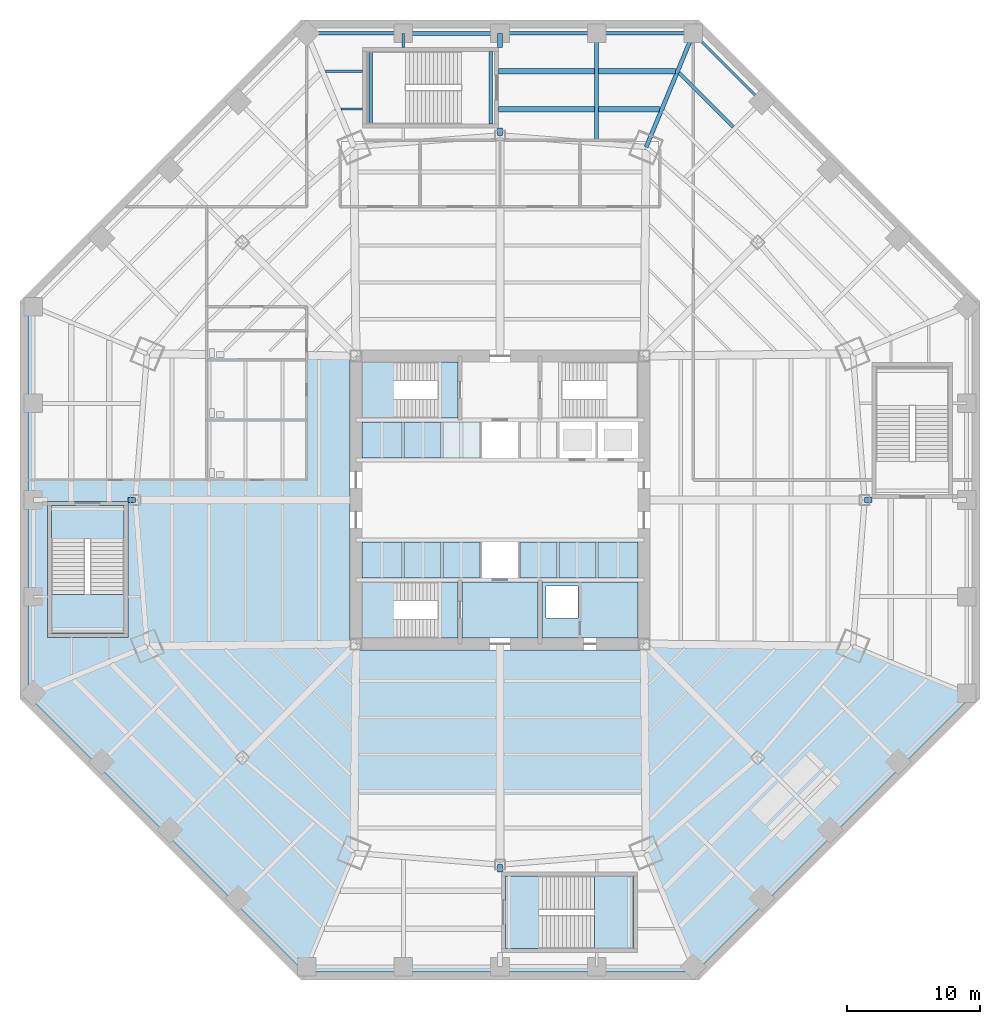
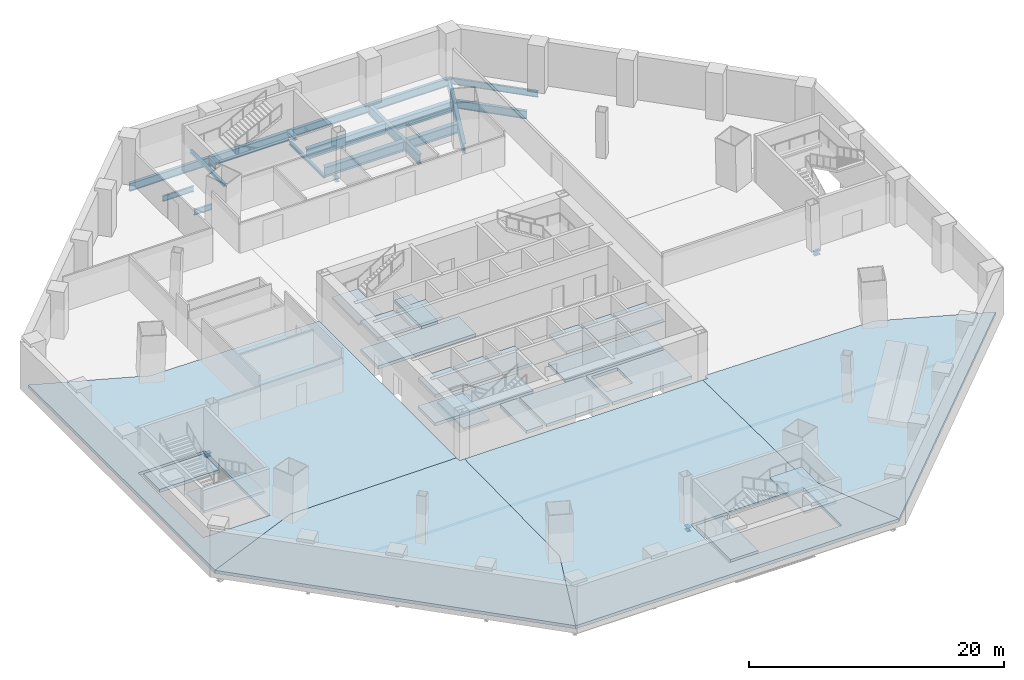
# One storey, part 6 of 15: 25 slabs, 16 beams, 6 members, 4 elements without a shape of their own.
"""IFC4 building model written with IfcOpenShell, lengths in metres."""

from ifc_helpers import new_model, si_unit, direction, frame, origin, origin_2d, place, context, subcontext, project, spatial, polyline, i_section, outline, extrude, source, transform, mapped, material, layer, layer_set, material_profile, profile_set, type_object, type_shapes, element, aggregate, save


model = new_model("IFC4")

# Units and contexts
model_context = context("Model", 3, precision=1e-05, world=origin(), true_north=direction((0.0, 1.0)))
body_context = subcontext(model_context, "Body", "Model", "MODEL_VIEW")
ifc_project = project(units=[si_unit("LENGTHUNIT", "METRE"), si_unit("AREAUNIT", "SQUARE_METRE"), si_unit("VOLUMEUNIT", "CUBIC_METRE"), si_unit("PLANEANGLEUNIT", "RADIAN"), si_unit("MASSUNIT", "GRAM", prefix="KILO")], contexts=[model_context])

# Site, building, storey
site_placement = place(None, origin())
site = spatial("IfcSite", under=ifc_project, at=site_placement, CompositionType="ELEMENT")
building_placement = place(site_placement, origin())
building = spatial("IfcBuilding", under=site, at=building_placement, Name="Mashrafa Tower", CompositionType="ELEMENT")
storey_placement = place(building_placement, frame((0.0, 0.0, -4.5)))
storey = spatial("IfcBuildingStorey", under=building, at=storey_placement, Name="B1", CompositionType="ELEMENT", Elevation=-4.5)

# Beams
ifc_material_1 = material(Name="Steel ASTM A992", Category="steel")
ifc_material_profile_1 = material_profile(ifc_material_1, i_section(OverallWidth=0.1650390625, OverallDepth=0.52587890625, WebThickness=0.0087890625, FlangeThickness=0.011474609375, FilletRadius=0.0126953125, at=origin_2d()), Name="W21X44")
ifc_profile_set_1 = profile_set([ifc_material_profile_1], Name="Steel ASTM A992")
beam_type_1 = type_object("IfcBeamType", Name="Beam W21X44", PredefinedType="BEAM", material=ifc_profile_set_1)
beam_1_placement = place(storey_placement, frame((-13.098876953125, 32.157470703125, -0.56298828125), z_axis=(1.0, 0.0, 0.0), x_axis=(0.0, 1.0, 0.0)))
element("IfcBeam", 1, at=beam_1_placement, inside=storey, type_object=beam_type_1, Name="Floor beam B1 032", PredefinedType="BEAM", context=body_context, shape_type="SweptSolid", body=[
    extrude(i_section(OverallWidth=0.1650390625, OverallDepth=0.52587890625, WebThickness=0.0087890625, FlangeThickness=0.011474609375, FilletRadius=0.0126953125, at=origin_2d()), origin(), (0.0, 0.0, 1.0), 2.798828125),
])
beam_2_placement = place(storey_placement, frame((-11.92138671875, 29.31494140625, -0.56298828125), z_axis=(1.0, 0.0, 0.0), x_axis=(0.0, 1.0, 0.0)))
element("IfcBeam", 2, at=beam_2_placement, inside=storey, type_object=beam_type_1, Name="Floor beam B1 036", PredefinedType="BEAM", context=body_context, shape_type="SweptSolid", body=[
    extrude(i_section(OverallWidth=0.1650390625, OverallDepth=0.52587890625, WebThickness=0.0087890625, FlangeThickness=0.011474609375, FilletRadius=0.0126953125, at=origin_2d()), origin(), (0.0, 0.0, 1.0), 1.621337890625),
])
ifc_material_2 = material(Name="Steel ASTM A992", Category="steel")
ifc_material_profile_2 = material_profile(ifc_material_2, i_section(OverallWidth=0.177978515625, OverallDepth=0.599365234375, WebThickness=0.010009765625, FlangeThickness=0.012939453125, FilletRadius=0.012939453125, at=origin_2d()), Name="W24X55")
ifc_profile_set_2 = profile_set([ifc_material_profile_2], Name="Steel ASTM A992")
beam_type_2 = type_object("IfcBeamType", Name="Beam W24X55", PredefinedType="BEAM", material=ifc_profile_set_2)
beam_3_placement = place(storey_placement, frame((19.623046875, 29.87451171875, -0.599609375), z_axis=(-0.707106781187, 0.707106781187, 0.0), x_axis=(-0.707106781187, -0.707106781187, 0.0)))
element("IfcBeam", 3, at=beam_3_placement, inside=storey, type_object=beam_type_2, Name="Podium edge beam B1 127", PredefinedType="BEAM", context=body_context, shape_type="SweptSolid", body=[
    extrude(i_section(OverallWidth=0.177978515625, OverallDepth=0.599365234375, WebThickness=0.010009765625, FlangeThickness=0.012939453125, FilletRadius=0.012939453125, at=origin_2d()), origin(), (0.0, 0.0, 1.0), 7.24853515625),
])
ifc_material_3 = material(Name="Steel ASTM A992", Category="steel")
ifc_material_profile_3 = material_profile(ifc_material_3, i_section(OverallWidth=0.2666015625, OverallDepth=0.75439453125, WebThickness=0.01318359375, FlangeThickness=0.01708984375, FilletRadius=0.0166015625, at=origin_2d()), Name="W30X99")
ifc_profile_set_3 = profile_set([ifc_material_profile_3], Name="Steel ASTM A992")
beam_type_3 = type_object("IfcBeamType", Name="Beam W30X99", PredefinedType="BEAM", material=ifc_profile_set_3)
beam_4_placement = place(storey_placement, frame((13.437744140625, 32.039794921875, -0.67724609375), z_axis=(0.707106781187, -0.707106781187, 0.0), x_axis=(0.707106781187, 0.707106781187, 0.0)))
element("IfcBeam", 4, at=beam_4_placement, inside=storey, type_object=beam_type_3, Name="Floor beam B1 074 part 1", PredefinedType="BEAM", context=body_context, shape_type="SweptSolid", body=[
    extrude(i_section(OverallWidth=0.2666015625, OverallDepth=0.75439453125, WebThickness=0.01318359375, FlangeThickness=0.01708984375, FilletRadius=0.0166015625, at=origin_2d()), origin(), (0.0, 0.0, 1.0), 5.751220703125),
])
for number, where, z_axis, x_axis, name in (
    (5, (-7.248779296875, 35.0, -0.67724609375), (-1.0, 0.0, 0.0), (0.0, -1.0, 0.0), "Podium edge beam B1 119"),
    (6, (7.248779296875, 35.0, -0.67724609375), (-1.0, 0.0, 0.0), (0.0, -1.0, 0.0), "Podium edge beam B1 123"),
    (7, (14.49755859375, 35.0, -0.67724609375), (-1.0, 0.0, 0.0), (0.0, -1.0, 0.0), "Podium edge beam B1 125"),
):
    element("IfcBeam", number, at=place(storey_placement, frame(where, z_axis=z_axis, x_axis=x_axis)), inside=storey, type_object=beam_type_3, Name=name, PredefinedType="BEAM", context=body_context, shape_type="SweptSolid", body=[
        extrude(i_section(OverallWidth=0.2666015625, OverallDepth=0.75439453125, WebThickness=0.01318359375, FlangeThickness=0.01708984375, FilletRadius=0.0166015625, at=origin_2d()), origin(), (0.0, 0.0, 1.0), 7.248779296875),
    ])
ifc_material_4 = material(Name="Steel ASTM A992", Category="steel")
ifc_material_profile_4 = material_profile(ifc_material_4, i_section(OverallWidth=0.3046875, OverallDepth=0.911865234375, WebThickness=0.015869140625, FlangeThickness=0.02392578125, FilletRadius=0.01904296875, at=origin_2d()), Name="W36X150")
ifc_profile_set_4 = profile_set([ifc_material_profile_4], Name="Steel ASTM A992")
beam_type_4 = type_object("IfcBeamType", Name="Beam W36X150", PredefinedType="BEAM", material=ifc_profile_set_4)
beam_5_placement = place(storey_placement, frame((0.0, 35.0, -0.755859375), z_axis=(-1.0, 0.0, 0.0), x_axis=(0.0, -1.0, 0.0)))
element("IfcBeam", 8, at=beam_5_placement, inside=storey, type_object=beam_type_4, Name="Podium edge beam B1 121", PredefinedType="BEAM", context=body_context, shape_type="SweptSolid", body=[
    extrude(i_section(OverallWidth=0.3046875, OverallDepth=0.911865234375, WebThickness=0.015869140625, FlangeThickness=0.02392578125, FilletRadius=0.01904296875, at=origin_2d()), origin(), (0.0, 0.0, 1.0), 7.248779296875),
])
ifc_material_5 = material(Name="Steel ASTM A992", Category="steel")
ifc_material_profile_5 = material_profile(ifc_material_5, i_section(OverallWidth=0.307373046875, OverallDepth=0.927001953125, WebThickness=0.01953125, FlangeThickness=0.031982421875, FilletRadius=0.01904296875, at=origin_2d()), Name="W36X194")
ifc_profile_set_5 = profile_set([ifc_material_profile_5], Name="Steel ASTM A992")
beam_type_5 = type_object("IfcBeamType", Name="Beam W36X194", PredefinedType="BEAM", material=ifc_profile_set_5)
beam_6_placement = place(storey_placement, frame((7.248779296875, 26.97119140625, -0.763671875), z_axis=(0.0, 1.0, 0.0), x_axis=(-1.0, 0.0, 0.0)))
element("IfcBeam", 9, at=beam_6_placement, inside=storey, type_object=beam_type_5, Name="Podium radial beam B1 161", PredefinedType="BEAM", context=body_context, shape_type="SweptSolid", body=[
    extrude(i_section(OverallWidth=0.307373046875, OverallDepth=0.927001953125, WebThickness=0.01953125, FlangeThickness=0.031982421875, FilletRadius=0.01904296875, at=origin_2d()), origin(), (0.0, 0.0, 1.0), 8.02880859375),
])
beam_7_placement = place(storey_placement, frame((10.965087890625, 26.472412109375, -0.763671875), z_axis=(0.382704529509, 0.923870793506, 0.0), x_axis=(-0.923870793506, 0.382704529509, 0.0)))
element("IfcBeam", 10, at=beam_7_placement, inside=storey, type_object=beam_type_5, Name="Podium radial beam B1 163", PredefinedType="BEAM", context=body_context, shape_type="SweptSolid", body=[
    extrude(i_section(OverallWidth=0.307373046875, OverallDepth=0.927001953125, WebThickness=0.01953125, FlangeThickness=0.031982421875, FilletRadius=0.01904296875, at=origin_2d()), origin(), (0.0, 0.0, 1.0), 9.230224609375),
])
ifc_material_6 = material(Name="Steel ASTM A992", Category="steel")
ifc_material_profile_6 = material_profile(ifc_material_6, i_section(OverallWidth=0.419189453125, OverallDepth=0.927001953125, WebThickness=0.019287109375, FlangeThickness=0.031982421875, FilletRadius=0.020263671875, at=origin_2d()), Name="W36X231")
ifc_profile_set_6 = profile_set([ifc_material_profile_6], Name="Steel ASTM A992")
beam_type_6 = type_object("IfcBeamType", Name="Beam W36X231", PredefinedType="BEAM", material=ifc_profile_set_6)
beam_8_placement = place(storey_placement, frame((-0.10009765625, 29.31494140625, -0.763671875), z_axis=(1.0, 0.0, 0.0), x_axis=(0.0, 1.0, 0.0)))
element("IfcBeam", 11, at=beam_8_placement, inside=storey, type_object=beam_type_6, Name="Floor beam B1 046 part 1", PredefinedType="BEAM", context=body_context, shape_type="SweptSolid", body=[
    extrude(i_section(OverallWidth=0.419189453125, OverallDepth=0.927001953125, WebThickness=0.019287109375, FlangeThickness=0.031982421875, FilletRadius=0.020263671875, at=origin_2d()), origin(), (0.0, 0.0, 1.0), 7.195068359375),
])
beam_9_placement = place(storey_placement, frame((7.40234375, 29.31494140625, -0.763671875), z_axis=(1.0, 0.0, 0.0), x_axis=(0.0, 1.0, 0.0)))
element("IfcBeam", 12, at=beam_9_placement, inside=storey, type_object=beam_type_6, Name="Floor beam B1 046 part 2", PredefinedType="BEAM", context=body_context, shape_type="SweptSolid", body=[
    extrude(i_section(OverallWidth=0.419189453125, OverallDepth=0.927001953125, WebThickness=0.019287109375, FlangeThickness=0.031982421875, FilletRadius=0.020263671875, at=origin_2d()), origin(), (0.0, 0.0, 1.0), 4.573974609375),
])
ifc_material_7 = material(Name="Steel ASTM A992", Category="steel")
ifc_material_profile_7 = material_profile(ifc_material_7, i_section(OverallWidth=0.4013671875, OverallDepth=0.98291015625, WebThickness=0.0166015625, FlangeThickness=0.027099609375, FilletRadius=0.0126953125, at=origin_2d()), Name="W40X199")
ifc_profile_set_7 = profile_set([ifc_material_profile_7], Name="Steel ASTM A992")
beam_type_7 = type_object("IfcBeamType", Name="Beam W40X199", PredefinedType="BEAM", material=ifc_profile_set_7)
beam_10_placement = place(storey_placement, frame((-0.10009765625, 32.157470703125, -0.79150390625), z_axis=(1.0, 0.0, 0.0), x_axis=(0.0, 1.0, 0.0)))
element("IfcBeam", 13, at=beam_10_placement, inside=storey, type_object=beam_type_7, Name="Floor beam B1 047 part 1", PredefinedType="BEAM", context=body_context, shape_type="SweptSolid", body=[
    extrude(i_section(OverallWidth=0.4013671875, OverallDepth=0.98291015625, WebThickness=0.0166015625, FlangeThickness=0.027099609375, FilletRadius=0.0126953125, at=origin_2d()), origin(), (0.0, 0.0, 1.0), 7.195068359375),
])
beam_11_placement = place(storey_placement, frame((7.40234375, 32.157470703125, -0.79150390625), z_axis=(1.0, 0.0, 0.0), x_axis=(0.0, 1.0, 0.0)))
element("IfcBeam", 14, at=beam_11_placement, inside=storey, type_object=beam_type_7, Name="Floor beam B1 047 part 2", PredefinedType="BEAM", context=body_context, shape_type="SweptSolid", body=[
    extrude(i_section(OverallWidth=0.4013671875, OverallDepth=0.98291015625, WebThickness=0.0166015625, FlangeThickness=0.027099609375, FilletRadius=0.0126953125, at=origin_2d()), origin(), (0.0, 0.0, 1.0), 5.75146484375),
])
ifc_material_8 = material(Name="Steel ASTM A992", Category="steel")
ifc_material_profile_8 = material_profile(ifc_material_8, i_section(OverallWidth=0.25390625, OverallDepth=0.25390625, WebThickness=0.008544921875, FlangeThickness=0.01416015625, FilletRadius=0.010009765625, at=origin_2d()), Name="W10X49")
ifc_profile_set_8 = profile_set([ifc_material_profile_8], Name="Steel ASTM A992")
beam_type_8 = type_object("IfcBeamType", Name="Hoistway beam W10X49", PredefinedType="BEAM", material=ifc_profile_set_8)
for number, where, z_axis, x_axis, name in (
    (15, (-0.699951171875, 28.199951171875, -0.427001953125), (0.0, 1.0, 0.0), (-1.0, 0.0, 0.0), "Stair P2 landing beam B1"),
    (16, (-9.699951171875, 28.199951171875, 1.923095703125), (0.0, 1.0, 0.0), (-1.0, 0.0, 0.0), "Stair P2 landing beam B1"),
):
    element("IfcBeam", number, at=place(storey_placement, frame(where, z_axis=z_axis, x_axis=x_axis)), inside=storey, type_object=beam_type_8, Name=name, PredefinedType="BEAM", context=body_context, shape_type="SweptSolid", body=[
        extrude(i_section(OverallWidth=0.25390625, OverallDepth=0.25390625, WebThickness=0.008544921875, FlangeThickness=0.01416015625, FilletRadius=0.010009765625, at=origin_2d()), origin(), (0.0, 0.0, 1.0), 5.449951171875),
    ])

# Members
ifc_material_9 = material(Name="Steel ASTM A992", Category="steel")
ifc_material_profile_9 = material_profile(ifc_material_9, i_section(OverallWidth=0.177978515625, OverallDepth=0.599365234375, WebThickness=0.010009765625, FlangeThickness=0.012939453125, FilletRadius=0.012939453125, at=origin_2d()), Name="W24X55")
ifc_profile_set_9 = profile_set([ifc_material_profile_9], Name="Steel ASTM A992")
member_type_1 = type_object("IfcMemberType", Name="Tie strut W24X55", PredefinedType="STRUT", material=ifc_profile_set_9)
shared_shape_1 = source(origin(), body_context, "Body", "SweptSolid", [
    extrude(i_section(OverallWidth=0.177978515625, OverallDepth=0.599365234375, WebThickness=0.010009765625, FlangeThickness=0.012939453125, FilletRadius=0.012939453125, at=origin_2d()), origin(), (0.0, 0.0, 1.0), 1.050048828125),
])
type_shapes(member_type_1, [shared_shape_1])
member_1_placement = place(storey_placement, frame((-7.248779296875, 33.949951171875, -0.599609375), z_axis=(0.0, 1.0, 0.0), x_axis=(-1.0, 0.0, 0.0)))
element("IfcMember", 17, at=member_1_placement, inside=storey, type_object=member_type_1, Name="Tie strut B1 154", PredefinedType="STRUT", context=body_context, shape_type="MappedRepresentation", body=[
    mapped(shared_shape_1, transform((0.0, 0.0, 0.0))),
])
ifc_material_10 = material(Name="Steel ASTM A992", Category="steel")
ifc_material_profile_10 = material_profile(ifc_material_10, i_section(OverallWidth=0.368408203125, OverallDepth=0.355712890625, WebThickness=0.01123046875, FlangeThickness=0.01806640625, FilletRadius=0.01513671875, at=origin_2d()), Name="W14X90")
ifc_profile_set_10 = profile_set([ifc_material_profile_10], Name="Steel ASTM A992")
member_type_2 = type_object("IfcMemberType", Name="Tie strut W14X90", PredefinedType="STRUT", material=ifc_profile_set_10)
shared_shape_2 = source(origin(), body_context, "Body", "SweptSolid", [
    extrude(i_section(OverallWidth=0.368408203125, OverallDepth=0.355712890625, WebThickness=0.01123046875, FlangeThickness=0.01806640625, FilletRadius=0.01513671875, at=origin_2d()), origin(), (0.0, 0.0, 1.0), 1.050048828125),
])
member_2_placement = place(storey_placement, frame((0.0, 33.949951171875, -0.477783203125), z_axis=(0.0, 1.0, 0.0), x_axis=(-1.0, 0.0, 0.0)))
element("IfcMember", 18, at=member_2_placement, inside=storey, type_object=member_type_2, Name="Tie strut B1 158", PredefinedType="STRUT", context=body_context, shape_type="MappedRepresentation", body=[
    mapped(shared_shape_2, transform((0.0, 0.0, 0.0))),
])
shared_shape_3 = source(origin(), body_context, "Body", "SweptSolid", [
    extrude(i_section(OverallWidth=0.368408203125, OverallDepth=0.355712890625, WebThickness=0.01123046875, FlangeThickness=0.01806640625, FilletRadius=0.01513671875, at=origin_2d()), origin(), (0.0, 0.0, 1.0), 0.54931640625),
])
type_shapes(member_type_2, [shared_shape_2, shared_shape_3])
for number, where, z_axis, x_axis, name in (
    (19, (-27.3505859375, 0.0, -0.477783203125), (-1.0, 0.0, 0.0), (0.0, -1.0, 0.0), "Tie strut B1 139"),
    (20, (0.0, -27.3505859375, -0.477783203125), (0.0, -1.0, 0.0), (1.0, 0.0, 0.0), "Tie strut B1 156"),
    (21, (0.0, 27.3505859375, -0.477783203125), (0.0, 1.0, 0.0), (-1.0, 0.0, 0.0), "Tie strut B1 157"),
    (22, (27.3505859375, 0.0, -0.477783203125), (1.0, 0.0, 0.0), (0.0, 1.0, 0.0), "Tie strut B1 174"),
):
    element("IfcMember", number, at=place(storey_placement, frame(where, z_axis=z_axis, x_axis=x_axis)), inside=storey, type_object=member_type_2, Name=name, PredefinedType="STRUT", context=body_context, shape_type="MappedRepresentation", body=[
        mapped(shared_shape_3, transform((0.0, 0.0, 0.0))),
    ])

# Slabs
ifc_material_11 = material(Name="Concrete C35/45", Category="concrete")
ifc_layer_1 = layer(ifc_material_11, 0.300048828125)
ifc_layer_set_1 = layer_set([ifc_layer_1], Name="Floor slab 300")
slab_type_1 = type_object("IfcSlabType", Name="Floor slab 300", PredefinedType="FLOOR", material=ifc_layer_set_1)
slab_1_placement = place(storey_placement, frame((0.0, 0.0, -0.300048828125)))
element("IfcSlab", 23, at=slab_1_placement, inside=storey, type_object=slab_type_1, Name="Floor slab B1 west bay", PredefinedType="FLOOR", context=body_context, shape_type="SweptSolid", body=[
    extrude(outline(polyline([(-35.39990234375, -14.6630859375), (-35.39990234375, 14.6630859375), (-35.39990234375, 14.6630859375), (-26.472412109375, 10.965087890625), (-11.25, 10.8046875), (-11.25, -10.8046875), (-26.472412109375, -10.965087890625), (-35.39990234375, -14.6630859375), (-35.39990234375, -14.6630859375)]), holes=[polyline([(-27.89990234375, -10.300048828125), (-27.89990234375, -0.10009765625), (-33.949951171875, -0.10009765625), (-33.949951171875, -10.300048828125), (-27.89990234375, -10.300048828125)])]), origin(), (0.0, 0.0, 1.0), 0.300048828125),
])
slab_2_placement = place(storey_placement, frame((0.0, 0.0, -0.300048828125)))
element("IfcSlab", 24, at=slab_2_placement, inside=storey, type_object=slab_type_1, Name="Floor slab B1 south-west bay", PredefinedType="FLOOR", context=body_context, shape_type="SweptSolid", body=[
    extrude(outline(polyline([(-35.39990234375, -14.6630859375), (-26.472412109375, -10.965087890625), (-11.25, -10.8046875), (-11.25, -11.25), (-10.8046875, -11.25), (-10.965087890625, -26.472412109375), (-14.6630859375, -35.39990234375), (-35.39990234375, -14.6630859375)])), origin(), (0.0, 0.0, 1.0), 0.300048828125),
])
slab_3_placement = place(storey_placement, frame((0.0, 0.0, -0.300048828125)))
element("IfcSlab", 25, at=slab_3_placement, inside=storey, type_object=slab_type_1, Name="Floor slab B1 south bay", PredefinedType="FLOOR", context=body_context, shape_type="SweptSolid", body=[
    extrude(outline(polyline([(-14.6630859375, -35.39990234375), (-10.965087890625, -26.472412109375), (-10.8046875, -11.25), (10.8046875, -11.25), (10.965087890625, -26.472412109375), (14.6630859375, -35.39990234375), (14.6630859375, -35.39990234375), (-14.6630859375, -35.39990234375), (-14.6630859375, -35.39990234375)]), holes=[polyline([(10.300048828125, -27.89990234375), (0.10009765625, -27.89990234375), (0.10009765625, -33.949951171875), (10.300048828125, -33.949951171875), (10.300048828125, -27.89990234375)])]), origin(), (0.0, 0.0, 1.0), 0.300048828125),
])
slab_4_placement = place(storey_placement, frame((0.0, 0.0, -0.300048828125)))
element("IfcSlab", 26, at=slab_4_placement, inside=storey, type_object=slab_type_1, Name="Floor slab B1 south-east bay", PredefinedType="FLOOR", context=body_context, shape_type="SweptSolid", body=[
    extrude(outline(polyline([(14.6630859375, -35.39990234375), (10.965087890625, -26.472412109375), (10.8046875, -11.25), (11.25, -11.25), (11.25, -10.8046875), (26.472412109375, -10.965087890625), (35.39990234375, -14.6630859375), (14.6630859375, -35.39990234375)])), origin(), (0.0, 0.0, 1.0), 0.300048828125),
])
slab_5_placement = place(storey_placement, frame((0.0, 0.0, -0.300048828125)))
element("IfcSlab", 27, at=slab_5_placement, inside=storey, type_object=slab_type_1, Name="Core floor riser and electrical band B1", PredefinedType="FLOOR", context=body_context, shape_type="SweptSolid", body=[
    extrude(outline(polyline([(10.35009765625, -6.14990234375), (10.35009765625, -10.35009765625), (3.14990234375, -10.35009765625), (3.14990234375, -6.14990234375), (10.35009765625, -6.14990234375)]), holes=[polyline([(3.449951171875, -8.85009765625), (5.85009765625, -8.85009765625), (5.85009765625, -6.449951171875), (3.449951171875, -6.449951171875), (3.449951171875, -8.85009765625)])]), origin(), (0.0, 0.0, 1.0), 0.300048828125),
])
slab_6_placement = place(storey_placement, frame((0.0, 0.0, -0.300048828125)))
element("IfcSlab", 28, at=slab_6_placement, inside=storey, type_object=slab_type_1, Name="Core floor lift cell B1", PredefinedType="FLOOR", context=body_context, shape_type="SweptSolid", body=[
    extrude(outline(polyline([(-1.449951171875, 3.14990234375), (-10.35009765625, 3.14990234375), (-10.35009765625, 5.85009765625), (-1.449951171875, 5.85009765625), (-1.449951171875, 3.14990234375)])), origin(), (0.0, 0.0, 1.0), 0.300048828125),
])
slab_7_placement = place(storey_placement, frame((0.0, 0.0, -0.300048828125)))
element("IfcSlab", 29, at=slab_7_placement, inside=storey, type_object=slab_type_1, Name="Core floor lift cell B1", PredefinedType="FLOOR", context=body_context, shape_type="SweptSolid", body=[
    extrude(outline(polyline([(10.35009765625, -3.14990234375), (10.35009765625, -5.85009765625), (1.449951171875, -5.85009765625), (1.449951171875, -3.14990234375), (10.35009765625, -3.14990234375)])), origin(), (0.0, 0.0, 1.0), 0.300048828125),
])
slab_8_placement = place(storey_placement, frame((0.0, 0.0, -0.300048828125)))
element("IfcSlab", 30, at=slab_8_placement, inside=storey, type_object=slab_type_1, Name="Core floor lift cell B1", PredefinedType="FLOOR", context=body_context, shape_type="SweptSolid", body=[
    extrude(outline(polyline([(-1.449951171875, -5.85009765625), (-10.35009765625, -5.85009765625), (-10.35009765625, -3.14990234375), (-1.449951171875, -3.14990234375), (-1.449951171875, -5.85009765625)])), origin(), (0.0, 0.0, 1.0), 0.300048828125),
])
slab_9_placement = place(storey_placement, frame((0.0, 0.0, -0.300048828125)))
element("IfcSlab", 31, at=slab_9_placement, inside=storey, type_object=slab_type_1, Name="Core floor fire-fighting lobby south B1", PredefinedType="FLOOR", context=body_context, shape_type="SweptSolid", body=[
    extrude(outline(polyline([(2.85009765625, -6.14990234375), (2.85009765625, -10.35009765625), (-2.85009765625, -10.35009765625), (-2.85009765625, -6.14990234375), (2.85009765625, -6.14990234375)])), origin(), (0.0, 0.0, 1.0), 0.300048828125),
])
ifc_material_12 = material(Name="Concrete C32/40", Category="concrete")
ifc_layer_2 = layer(ifc_material_12, 0.300048828125)
ifc_layer_set_2 = layer_set([ifc_layer_2], Name="Lift pit slab 300")
slab_type_2 = type_object("IfcSlabType", Name="Lift pit slab 300", PredefinedType="FLOOR", material=ifc_layer_set_2)
slab_10_placement = place(storey_placement, frame((0.0, 0.0, 2.39990234375)))
element("IfcSlab", 32, at=slab_10_placement, inside=storey, type_object=slab_type_2, Name="Lift pit slab A1", PredefinedType="FLOOR", context=body_context, shape_type="SweptSolid", body=[
    extrude(outline(polyline([(-10.35009765625, 3.14990234375), (-7.35009765625, 3.14990234375), (-7.35009765625, 5.85009765625), (-10.35009765625, 5.85009765625), (-10.35009765625, 3.14990234375)])), origin(), (0.0, 0.0, 1.0), 0.300048828125),
])
slab_11_placement = place(storey_placement, frame((0.0, 0.0, 2.39990234375)))
element("IfcSlab", 33, at=slab_11_placement, inside=storey, type_object=slab_type_2, Name="Lift pit slab A2", PredefinedType="FLOOR", context=body_context, shape_type="SweptSolid", body=[
    extrude(outline(polyline([(-7.14990234375, 3.14990234375), (-4.449951171875, 3.14990234375), (-4.449951171875, 5.85009765625), (-7.14990234375, 5.85009765625), (-7.14990234375, 3.14990234375)])), origin(), (0.0, 0.0, 1.0), 0.300048828125),
])
slab_12_placement = place(storey_placement, frame((0.0, 0.0, 2.39990234375)))
element("IfcSlab", 34, at=slab_12_placement, inside=storey, type_object=slab_type_2, Name="Lift pit slab B1", PredefinedType="FLOOR", context=body_context, shape_type="SweptSolid", body=[
    extrude(outline(polyline([(-10.35009765625, -5.85009765625), (-7.35009765625, -5.85009765625), (-7.35009765625, -3.14990234375), (-10.35009765625, -3.14990234375), (-10.35009765625, -5.85009765625)])), origin(), (0.0, 0.0, 1.0), 0.300048828125),
])
slab_13_placement = place(storey_placement, frame((0.0, 0.0, 2.39990234375)))
element("IfcSlab", 35, at=slab_13_placement, inside=storey, type_object=slab_type_2, Name="Lift pit slab B2", PredefinedType="FLOOR", context=body_context, shape_type="SweptSolid", body=[
    extrude(outline(polyline([(-7.14990234375, -5.85009765625), (-4.449951171875, -5.85009765625), (-4.449951171875, -3.14990234375), (-7.14990234375, -3.14990234375), (-7.14990234375, -5.85009765625)])), origin(), (0.0, 0.0, 1.0), 0.300048828125),
])
slab_14_placement = place(storey_placement, frame((0.0, 0.0, 2.39990234375)))
element("IfcSlab", 36, at=slab_14_placement, inside=storey, type_object=slab_type_2, Name="Lift pit slab B3", PredefinedType="FLOOR", context=body_context, shape_type="SweptSolid", body=[
    extrude(outline(polyline([(-4.25, -5.85009765625), (-1.550048828125, -5.85009765625), (-1.550048828125, -3.14990234375), (-4.25, -3.14990234375), (-4.25, -5.85009765625)])), origin(), (0.0, 0.0, 1.0), 0.300048828125),
])
slab_15_placement = place(storey_placement, frame((0.0, 0.0, 2.39990234375)))
element("IfcSlab", 37, at=slab_15_placement, inside=storey, type_object=slab_type_2, Name="Lift pit slab B4", PredefinedType="FLOOR", context=body_context, shape_type="SweptSolid", body=[
    extrude(outline(polyline([(1.550048828125, -5.85009765625), (4.25, -5.85009765625), (4.25, -3.14990234375), (1.550048828125, -3.14990234375), (1.550048828125, -5.85009765625)])), origin(), (0.0, 0.0, 1.0), 0.300048828125),
])
slab_16_placement = place(storey_placement, frame((0.0, 0.0, 2.39990234375)))
element("IfcSlab", 38, at=slab_16_placement, inside=storey, type_object=slab_type_2, Name="Lift pit slab R1", PredefinedType="FLOOR", context=body_context, shape_type="SweptSolid", body=[
    extrude(outline(polyline([(4.449951171875, -5.85009765625), (7.14990234375, -5.85009765625), (7.14990234375, -3.14990234375), (4.449951171875, -3.14990234375), (4.449951171875, -5.85009765625)])), origin(), (0.0, 0.0, 1.0), 0.300048828125),
])
slab_17_placement = place(storey_placement, frame((0.0, 0.0, 2.39990234375)))
element("IfcSlab", 39, at=slab_17_placement, inside=storey, type_object=slab_type_2, Name="Lift pit slab R2", PredefinedType="FLOOR", context=body_context, shape_type="SweptSolid", body=[
    extrude(outline(polyline([(7.35009765625, -5.85009765625), (10.35009765625, -5.85009765625), (10.35009765625, -3.14990234375), (7.35009765625, -3.14990234375), (7.35009765625, -5.85009765625)])), origin(), (0.0, 0.0, 1.0), 0.300048828125),
])

# Stair, slab
ifc_material_13 = material(Name="Exit stair 1400")
stair_type_1 = type_object("IfcStairType", Name="Exit stair 1400", PredefinedType="HALF_TURN_STAIR", material=ifc_material_13)
stair_1_placement = place(storey_placement, origin())
stair_1 = element("IfcStair", 40, at=stair_1_placement, inside=storey, type_object=stair_type_1, Name="Stair S1 B1", PredefinedType="HALF_TURN_STAIR")
ifc_material_14 = material(Name="Concrete C32/40", Category="concrete")
ifc_layer_3 = layer(ifc_material_14, 0.199951171875)
ifc_layer_set_3 = layer_set([ifc_layer_3], Name="Stair landing 200")
slab_type_3 = type_object("IfcSlabType", Name="Stair landing 200", PredefinedType="LANDING", material=ifc_layer_set_3)
slab_18_placement = place(storey_placement, frame((0.0, 0.0, 2.050048828125)))
slab_18 = element("IfcSlab", 41, at=slab_18_placement, type_object=slab_type_3, Name="S1 landing 2", PredefinedType="LANDING", context=body_context, shape_type="SweptSolid", body=[
    extrude(outline(polyline([(-10.35009765625, 6.14990234375), (-8.0, 6.14990234375), (-8.0, 10.35009765625), (-10.35009765625, 10.35009765625), (-10.35009765625, 6.14990234375)])), origin(), (0.0, 0.0, 1.0), 0.199951171875),
])

stair_2_placement = place(storey_placement, origin())
stair_2 = element("IfcStair", 42, at=stair_2_placement, inside=storey, type_object=stair_type_1, Name="Stair S3 B1", PredefinedType="HALF_TURN_STAIR")
slab_19_placement = place(storey_placement, frame((0.0, 0.0, 2.050048828125)))
slab_19 = element("IfcSlab", 43, at=slab_19_placement, type_object=slab_type_3, Name="S3 landing 2", PredefinedType="LANDING", context=body_context, shape_type="SweptSolid", body=[
    extrude(outline(polyline([(-10.35009765625, -10.35009765625), (-8.0, -10.35009765625), (-8.0, -6.14990234375), (-10.35009765625, -6.14990234375), (-10.35009765625, -10.35009765625)])), origin(), (0.0, 0.0, 1.0), 0.199951171875),
])

ifc_material_15 = material(Name="Exit stair 2500")
stair_type_2 = type_object("IfcStairType", Name="Exit stair 2500", PredefinedType="HALF_TURN_STAIR", material=ifc_material_15)
stair_3_placement = place(storey_placement, origin())
stair_3 = element("IfcStair", 44, at=stair_3_placement, inside=storey, type_object=stair_type_2, Name="Stair P3 B1", PredefinedType="HALF_TURN_STAIR")
slab_20_placement = place(storey_placement, frame((0.0, 0.0, 2.050048828125)))
slab_20 = element("IfcSlab", 45, at=slab_20_placement, type_object=slab_type_3, Name="P3 landing 2", PredefinedType="LANDING", context=body_context, shape_type="SweptSolid", body=[
    extrude(outline(polyline([(-28.199951171875, -10.0), (-28.199951171875, -7.090087890625), (-33.64990234375, -7.090087890625), (-33.64990234375, -10.0), (-28.199951171875, -10.0)])), origin(), (0.0, 0.0, 1.0), 0.199951171875),
])

stair_4_placement = place(storey_placement, origin())
stair_4 = element("IfcStair", 46, at=stair_4_placement, inside=storey, type_object=stair_type_2, Name="Stair P4 B1", PredefinedType="HALF_TURN_STAIR")
slab_21_placement = place(storey_placement, frame((0.0, 0.0, 2.050048828125)))
slab_21 = element("IfcSlab", 47, at=slab_21_placement, type_object=slab_type_3, Name="P4 landing 2", PredefinedType="LANDING", context=body_context, shape_type="SweptSolid", body=[
    extrude(outline(polyline([(7.090087890625, -33.64990234375), (10.0, -33.64990234375), (10.0, -28.199951171875), (7.090087890625, -28.199951171875), (7.090087890625, -33.64990234375)])), origin(), (0.0, 0.0, 1.0), 0.199951171875),
])

# Slab
ifc_material_16 = material(Name="Concrete C32/40", Category="concrete")
ifc_layer_4 = layer(ifc_material_16, 0.300048828125)
ifc_layer_set_4 = layer_set([ifc_layer_4], Name="Stair landing 300")
slab_type_4 = type_object("IfcSlabType", Name="Stair landing 300", PredefinedType="LANDING", material=ifc_layer_set_4)
slab_22_placement = place(storey_placement, frame((0.0, 0.0, -0.300048828125)))
slab_22 = element("IfcSlab", 48, at=slab_22_placement, type_object=slab_type_4, Name="S1 landing 1", PredefinedType="LANDING", context=body_context, shape_type="SweptSolid", body=[
    extrude(outline(polyline([(-4.659912109375, 6.14990234375), (-3.14990234375, 6.14990234375), (-3.14990234375, 10.35009765625), (-4.659912109375, 10.35009765625), (-4.659912109375, 6.14990234375)])), origin(), (0.0, 0.0, 1.0), 0.300048828125),
])

aggregate(stair_1, [slab_22, slab_18])

slab_23_placement = place(storey_placement, frame((0.0, 0.0, -0.300048828125)))
slab_23 = element("IfcSlab", 49, at=slab_23_placement, type_object=slab_type_4, Name="S3 landing 1", PredefinedType="LANDING", context=body_context, shape_type="SweptSolid", body=[
    extrude(outline(polyline([(-4.659912109375, -10.35009765625), (-3.14990234375, -10.35009765625), (-3.14990234375, -6.14990234375), (-4.659912109375, -6.14990234375), (-4.659912109375, -10.35009765625)])), origin(), (0.0, 0.0, 1.0), 0.300048828125),
])

aggregate(stair_2, [slab_23, slab_19])

slab_24_placement = place(storey_placement, frame((0.0, 0.0, -0.300048828125)))
slab_24 = element("IfcSlab", 50, at=slab_24_placement, type_object=slab_type_4, Name="P3 landing 1", PredefinedType="LANDING", context=body_context, shape_type="SweptSolid", body=[
    extrude(outline(polyline([(-28.199951171875, -2.909912109375), (-28.199951171875, -0.39990234375), (-33.64990234375, -0.39990234375), (-33.64990234375, -2.909912109375), (-28.199951171875, -2.909912109375)])), origin(), (0.0, 0.0, 1.0), 0.300048828125),
])

aggregate(stair_3, [slab_24, slab_20])

slab_25_placement = place(storey_placement, frame((0.0, 0.0, -0.300048828125)))
slab_25 = element("IfcSlab", 51, at=slab_25_placement, type_object=slab_type_4, Name="P4 landing 1", PredefinedType="LANDING", context=body_context, shape_type="SweptSolid", body=[
    extrude(outline(polyline([(0.39990234375, -33.64990234375), (2.909912109375, -33.64990234375), (2.909912109375, -28.199951171875), (0.39990234375, -28.199951171875), (0.39990234375, -33.64990234375)])), origin(), (0.0, 0.0, 1.0), 0.300048828125),
])

aggregate(stair_4, [slab_25, slab_21])

save(model, "model.ifc")
